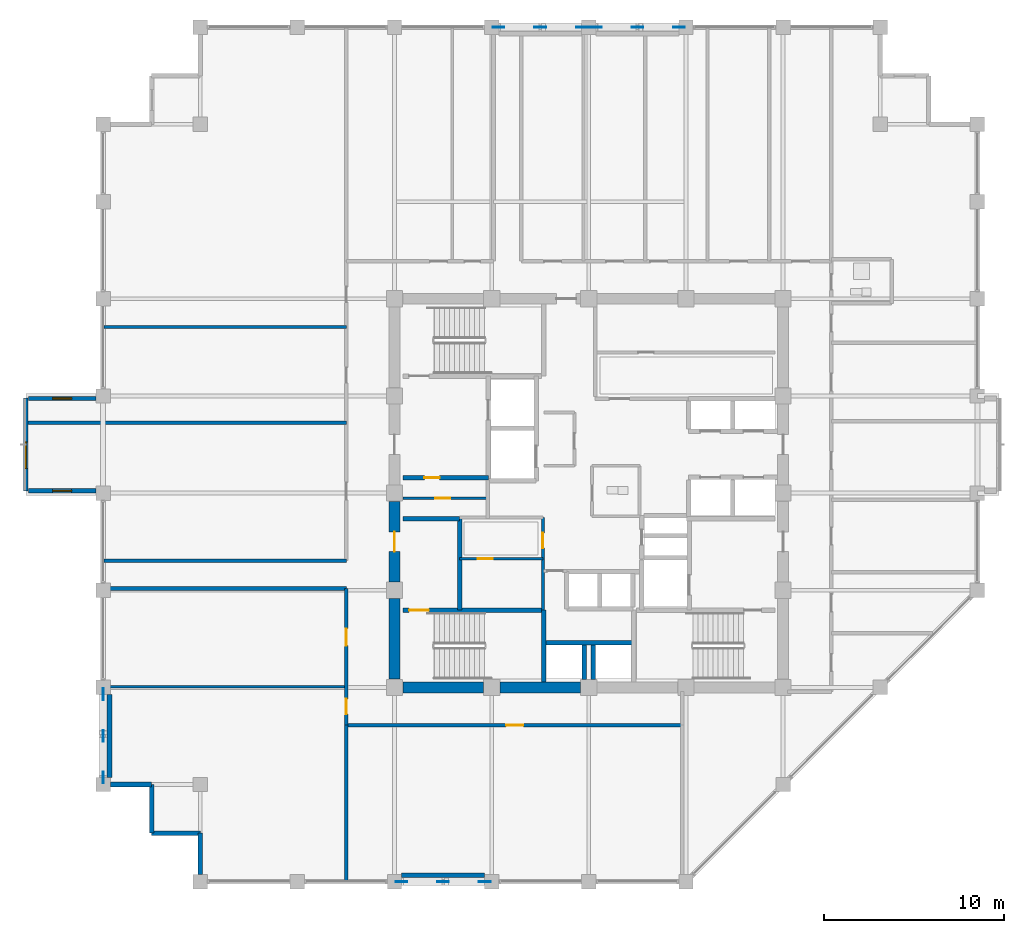
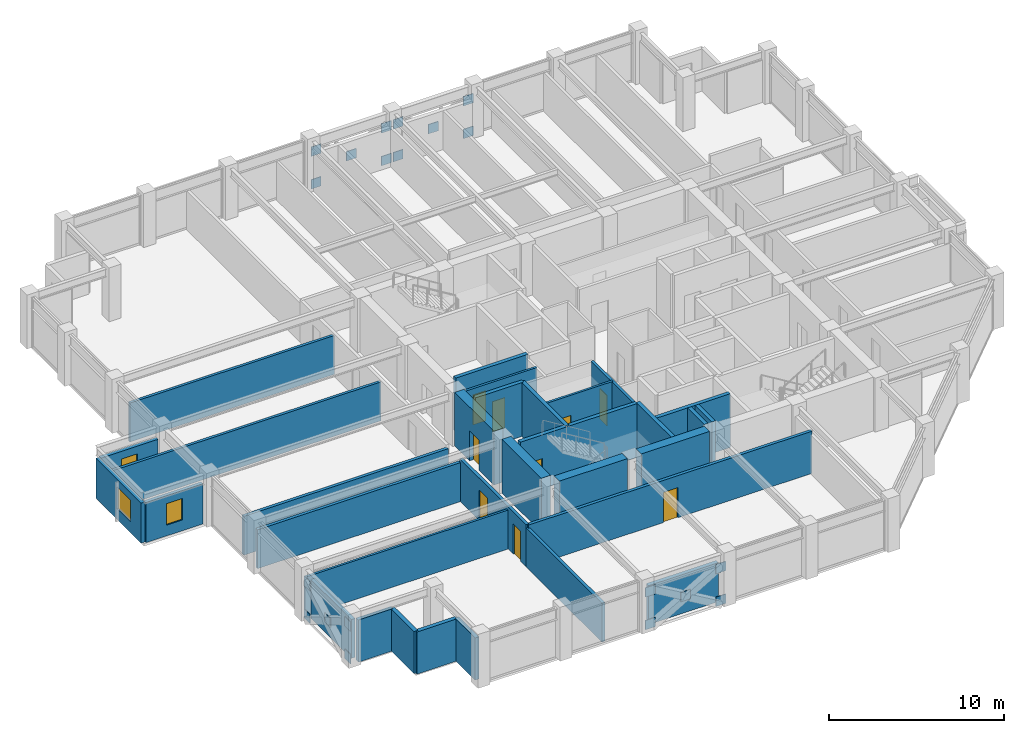
# One storey, part 22 of 28: 32 walls, 20 plates, 9 doors, 3 windows, 12 openings.
"""IFC4 building model written with IfcOpenShell, lengths in metres."""

from ifc_helpers import new_model, si_unit, direction, frame, frame_2d, origin, origin_2d, place, context, subcontext, project, spatial, rectangle, extrude, material, layer, layer_set, type_object, element, fill, save


model = new_model("IFC4")

# Units and contexts
model_context = context("Model", 3, precision=1e-05, world=origin(), true_north=direction((0.0, 1.0)))
body_context = subcontext(model_context, "Body", "Model", "MODEL_VIEW")
ifc_project = project(units=[si_unit("LENGTHUNIT", "METRE"), si_unit("AREAUNIT", "SQUARE_METRE"), si_unit("VOLUMEUNIT", "CUBIC_METRE"), si_unit("PLANEANGLEUNIT", "RADIAN"), si_unit("MASSUNIT", "GRAM", prefix="KILO")], contexts=[model_context])

# Site, building, storey
site_placement = place(None, origin())
site = spatial("IfcSite", under=ifc_project, at=site_placement, CompositionType="ELEMENT")
building_placement = place(site_placement, origin())
building = spatial("IfcBuilding", under=site, at=building_placement, Name="Surkhivell Harbour Commons", CompositionType="ELEMENT")
storey_placement = place(building_placement, frame((0.0, 0.0, 246.0)))
storey = spatial("IfcBuildingStorey", under=building, at=storey_placement, Name="L64", CompositionType="ELEMENT", Elevation=246.0)

# Plates
ifc_material_1 = material(Name="Steel S460", Category="steel")
ifc_layer_1 = layer(ifc_material_1, 0.044921875)
ifc_layer_set_1 = layer_set([ifc_layer_1], Name="Steel S460")
plate_type = type_object("IfcPlateType", Name="PLT-GUS-650", PredefinedType="USERDEFINED", material=ifc_layer_set_1)
for number, where, z_axis, x_axis, name in (
    (1, (-5.014892578125, 25.89990234375, -0.08935546875), (0.0, 0.0, 1.0), (1.0, 0.0, 0.0), "L64 Perimeter Mega-Brace MB- Corner Gusset N-1"),
    (2, (-0.385009765625, 25.89990234375, -0.08935546875), (0.0, 0.0, 1.0), (1.0, 0.0, 0.0), "L64 Perimeter Mega-Brace MB- Corner Gusset N-2"),
    (3, (-5.014892578125, 25.89990234375, 2.181640625), (0.0, 0.0, 1.0), (1.0, 0.0, 0.0), "L64 Perimeter Mega-Brace MB- Corner Gusset N-3"),
    (4, (-0.385009765625, 25.89990234375, 2.181640625), (0.0, 0.0, 1.0), (1.0, 0.0, 0.0), "L64 Perimeter Mega-Brace MB- Corner Gusset N-4"),
    (5, (-2.699951171875, 25.89990234375, 1.046142578125), (0.0, 0.0, 1.0), (1.0, 0.0, 0.0), "L64 Perimeter Mega-Brace MB- Central Crossing Gusset N"),
    (6, (0.385009765625, 25.89990234375, -0.08935546875), (0.0, 0.0, 1.0), (1.0, 0.0, 0.0), "L64 Perimeter Mega-Brace MB- Corner Gusset N2-1"),
    (7, (5.014892578125, 25.89990234375, -0.08935546875), (0.0, 0.0, 1.0), (1.0, 0.0, 0.0), "L64 Perimeter Mega-Brace MB- Corner Gusset N2-2"),
    (8, (0.385009765625, 25.89990234375, 2.181640625), (0.0, 0.0, 1.0), (1.0, 0.0, 0.0), "L64 Perimeter Mega-Brace MB- Corner Gusset N2-3"),
    (9, (5.014892578125, 25.89990234375, 2.181640625), (0.0, 0.0, 1.0), (1.0, 0.0, 0.0), "L64 Perimeter Mega-Brace MB- Corner Gusset N2-4"),
    (10, (2.699951171875, 25.89990234375, 1.046142578125), (0.0, 0.0, 1.0), (1.0, 0.0, 0.0), "L64 Perimeter Mega-Brace MB- Central Crossing Gusset N2"),
    (11, (-10.4150390625, -21.60009765625, -0.08935546875), (0.0, 0.0, 1.0), (1.0, 0.0, 0.0), "L64 Perimeter Mega-Brace MB- Corner Gusset S-1"),
    (12, (-5.784912109375, -21.60009765625, -0.08935546875), (0.0, 0.0, 1.0), (1.0, 0.0, 0.0), "L64 Perimeter Mega-Brace MB- Corner Gusset S-2"),
    (13, (-10.4150390625, -21.60009765625, 2.181640625), (0.0, 0.0, 1.0), (1.0, 0.0, 0.0), "L64 Perimeter Mega-Brace MB- Corner Gusset S-3"),
    (14, (-5.784912109375, -21.60009765625, 2.181640625), (0.0, 0.0, 1.0), (1.0, 0.0, 0.0), "L64 Perimeter Mega-Brace MB- Corner Gusset S-4"),
    (15, (-8.10009765625, -21.60009765625, 1.046142578125), (0.0, 0.0, 1.0), (1.0, 0.0, 0.0), "L64 Perimeter Mega-Brace MB- Central Crossing Gusset S"),
    (16, (-27.0, -15.81494140625, -0.08935546875), (0.0, 0.0, 1.0), (0.0, 1.0, 0.0), "L64 Perimeter Mega-Brace MB- Corner Gusset W-1"),
    (17, (-27.0, -11.18505859375, -0.08935546875), (0.0, 0.0, 1.0), (0.0, 1.0, 0.0), "L64 Perimeter Mega-Brace MB- Corner Gusset W-2"),
    (18, (-27.0, -15.81494140625, 2.181640625), (0.0, 0.0, 1.0), (0.0, 1.0, 0.0), "L64 Perimeter Mega-Brace MB- Corner Gusset W-3"),
    (19, (-27.0, -11.18505859375, 2.181640625), (0.0, 0.0, 1.0), (0.0, 1.0, 0.0), "L64 Perimeter Mega-Brace MB- Corner Gusset W-4"),
    (20, (-27.0, -13.5, 1.046142578125), (0.0, 0.0, 1.0), (0.0, 1.0, 0.0), "L64 Perimeter Mega-Brace MB- Central Crossing Gusset W"),
):
    element("IfcPlate", number, at=place(storey_placement, frame(where, z_axis=z_axis, x_axis=x_axis)), inside=storey, type_object=plate_type, Name=name, ObjectType="GUSSET_PLATE", PredefinedType="USERDEFINED", context=body_context, shape_type="SweptSolid", body=[
        extrude(rectangle(XDim=0.64990234375, YDim=0.044921875, at=origin_2d()), origin(), (0.0, 0.0, 1.0), 0.64990234375),
    ])

# Walls
ifc_material_2 = material(Name="Concrete C60/75", Category="concrete")
ifc_layer_2 = layer(ifc_material_2, 0.60009765625)
ifc_layer_set_2 = layer_set([ifc_layer_2], Name="Concrete C60/75")
wall_type_1 = type_object("IfcWallType", Name="WAL-CORE-600", PredefinedType="SHEAR", material=ifc_layer_set_2)
for number, where, z_axis, x_axis, name in (
    (21, (-10.340087890625, -10.800048828125, 0.0), (0.0, 0.0, 1.0), (1.0, 0.0, 0.0), "L64 Core Shear Wall South 1"),
    (22, (-10.800048828125, -10.340087890625, 0.0), (0.0, 0.0, 1.0), (0.0, 1.0, 0.0), "L64 Core Shear Wall West 1"),
    (23, (-4.93994140625, -10.800048828125, 0.0), (0.0, 0.0, 1.0), (1.0, 0.0, 0.0), "L64 Core Shear Wall South 2"),
):
    element("IfcWall", number, at=place(storey_placement, frame(where, z_axis=z_axis, x_axis=x_axis)), inside=storey, type_object=wall_type_1, Name=name, PredefinedType="SHEAR", context=body_context, shape_type="SweptSolid", body=[
        extrude(rectangle(XDim=4.47998046875, YDim=0.60009765625, at=frame_2d((2.239990234375, 0.0))), origin(), (0.0, 0.0, 1.0), 3.75),
    ])

# Wall, opening, door
wall_1_placement = place(storey_placement, frame((-10.800048828125, -4.93994140625, 0.0), z_axis=(0.0, 0.0, 1.0), x_axis=(0.0, 1.0, 0.0)))
wall_1 = element("IfcWall", 24, at=wall_1_placement, inside=storey, type_object=wall_type_1, Name="L64 Core Shear Wall West 2", PredefinedType="SHEAR", context=body_context, shape_type="SweptSolid", body=[
    extrude(rectangle(XDim=4.47998046875, YDim=0.60009765625, at=frame_2d((2.239990234375, 0.0))), origin(), (0.0, 0.0, 1.0), 3.75),
])
opening_1_placement = place(wall_1_placement, frame((1.68994140625, 0.0, 0.0)))
opening_1 = element("IfcOpeningElement", 25, at=opening_1_placement, cuts=wall_1, Name="Opening ID-2", PredefinedType="OPENING", context=body_context, shape_type="SweptSolid", body=[
    extrude(rectangle(XDim=1.10009765625, YDim=2.10009765625, at=frame_2d((0.550048828125, 1.050048828125))), frame((0.0, 0.31005859375, 0.0), z_axis=(0.0, -1.0, 0.0), x_axis=(1.0, 0.0, 0.0)), (0.0, 0.0, 1.0), 0.6201171875),
])
ifc_material_3 = material(Name="Hardwood-veneered fire-rated door leaf", Category="wood")
door_type_1 = type_object("IfcDoorType", Name="DOR-FD60-1100", OperationType="NOTDEFINED", PredefinedType="DOOR", material=ifc_material_3)
door_1_placement = place(opening_1_placement, origin())
door_1 = element("IfcDoor", 26, at=door_1_placement, inside=storey, type_object=door_type_1, Name="L64 Stair 3 Lobby Corridor Door", OperationType="SINGLE_SWING_LEFT", OverallHeight=2.10009765625, OverallWidth=1.10009765625, PredefinedType="DOOR", context=body_context, shape_type="SweptSolid", body=[
    extrude(rectangle(XDim=1.10009765625, YDim=2.10009765625, at=frame_2d((0.550048828125, 1.050048828125))), frame((0.0, 0.02490234375, 0.0), z_axis=(0.0, -1.0, 0.0), x_axis=(1.0, 0.0, 0.0)), (0.0, 0.0, 1.0), 0.050048828125),
])
fill(opening_1, door_1)

# Walls
ifc_material_4 = material(Name="Pale-metal insulated precast concrete C45/55", Category="concrete")
ifc_layer_3 = layer(ifc_material_4, 0.260009765625)
ifc_layer_set_3 = layer_set([ifc_layer_3], Name="Pale-metal insulated precast concrete C45/55")
wall_type_2 = type_object("IfcWallType", Name="WAL-EXT-MTL260", PredefinedType="STANDARD", material=ifc_layer_set_3)
for number, where, z_axis, x_axis, name in (
    (27, (-10.402099609375, -21.239990234375, 0.0), (0.0, 0.0, 1.0), (1.0, 0.0, 0.0), "L64 Braced-Bay Insulated Spandrel Backing S"),
    (28, (-26.639892578125, -15.802001953125, 0.0), (0.0, 0.0, 1.0), (0.0, 1.0, 0.0), "L64 Braced-Bay Insulated Spandrel Backing W"),
):
    element("IfcWall", number, at=place(storey_placement, frame(where, z_axis=z_axis, x_axis=x_axis)), inside=storey, type_object=wall_type_2, Name=name, PredefinedType="STANDARD", context=body_context, shape_type="SweptSolid", body=[
        extrude(rectangle(XDim=4.60400390625, YDim=0.260009765625, at=frame_2d((2.302001953125, 0.0))), origin(), (0.0, 0.0, 1.0), 2.7099609375),
    ])
wall_2_placement = place(storey_placement, frame((-26.60205078125, -16.199951171875, 0.0), z_axis=(0.0, 0.0, 1.0), x_axis=(1.0, 0.0, 0.0)))
element("IfcWall", 29, at=wall_2_placement, inside=storey, type_object=wall_type_2, Name="L64 Serrated Corner Facade Wall 13", PredefinedType="STANDARD", context=body_context, shape_type="SweptSolid", body=[
    extrude(rectangle(XDim=2.302001953125, YDim=0.260009765625, at=frame_2d((1.15087890625, 0.0))), origin(), (0.0, 0.0, 1.0), 2.93603515625),
])
for number, where, z_axis, x_axis, name in (
    (30, (-24.300048828125, -16.199951171875, 0.0), (0.0, 0.0, 1.0), (0.0, -1.0, 0.0), "L64 Serrated Corner Facade Wall 14"),
    (31, (-24.300048828125, -18.89990234375, 0.0), (0.0, 0.0, 1.0), (1.0, 0.0, 0.0), "L64 Serrated Corner Facade Wall 15"),
):
    element("IfcWall", number, at=place(storey_placement, frame(where, z_axis=z_axis, x_axis=x_axis)), inside=storey, type_object=wall_type_2, Name=name, PredefinedType="STANDARD", context=body_context, shape_type="SweptSolid", body=[
        extrude(rectangle(XDim=2.699951171875, YDim=0.260009765625, at=frame_2d((1.35009765625, 0.0))), origin(), (0.0, 0.0, 1.0), 2.93603515625),
    ])
wall_3_placement = place(storey_placement, frame((-21.60009765625, -18.89990234375, 0.0), z_axis=(0.0, 0.0, 1.0), x_axis=(0.0, -1.0, 0.0)))
element("IfcWall", 32, at=wall_3_placement, inside=storey, type_object=wall_type_2, Name="L64 Serrated Corner Facade Wall 16", PredefinedType="STANDARD", context=body_context, shape_type="SweptSolid", body=[
    extrude(rectangle(XDim=2.302001953125, YDim=0.260009765625, at=frame_2d((1.15087890625, 0.0))), origin(), (0.0, 0.0, 1.0), 2.93603515625),
])

# Wall, opening, window
ifc_material_5 = material(Name="Bronze-ochre cassette precast concrete C45/55", Category="concrete")
ifc_layer_4 = layer(ifc_material_5, 0.239990234375)
ifc_layer_set_4 = layer_set([ifc_layer_4], Name="Bronze-ochre cassette precast concrete C45/55")
wall_type_3 = type_object("IfcWallType", Name="WAL-EXT-OCH240", PredefinedType="STANDARD", material=ifc_layer_set_4)
wall_4_placement = place(storey_placement, frame((-31.300048828125, 5.280029296875, 0.0), z_axis=(0.0, 0.0, 1.0), x_axis=(0.0, -1.0, 0.0)))
wall_4 = element("IfcWall", 33, at=wall_4_placement, inside=storey, type_object=wall_type_3, Name="L64 Coloured Box Front Wall 02", PredefinedType="STANDARD", context=body_context, shape_type="SweptSolid", body=[
    extrude(rectangle(XDim=5.159912109375, YDim=0.239990234375, at=frame_2d((2.580078125, 0.0))), origin(), (0.0, 0.0, 1.0), 2.787109375),
])
opening_2_placement = place(wall_4_placement, frame((2.425048828125, 0.0, 0.75)))
opening_2 = element("IfcOpeningElement", 34, at=opening_2_placement, cuts=wall_4, Name="Opening WN-13", PredefinedType="OPENING", context=body_context, shape_type="SweptSolid", body=[
    extrude(rectangle(XDim=1.5, YDim=1.5, at=frame_2d((0.75, 0.75))), frame((0.0, 0.1298828125, 0.0), z_axis=(0.0, -1.0, 0.0), x_axis=(1.0, 0.0, 0.0)), (0.0, 0.0, 1.0), 0.260009765625),
])
ifc_material_6 = material(Name="Thermal-break aluminium frame and double low-E glazing", Category="aluminium")
window_type_1 = type_object("IfcWindowType", Name="WIN-BOX-1500x1500", PartitioningType="SINGLE_PANEL", PredefinedType="WINDOW", material=ifc_material_6)
window_1_placement = place(opening_2_placement, origin())
window_1 = element("IfcWindow", 35, at=window_1_placement, inside=storey, type_object=window_type_1, Name="L64 Coloured Box Square Window 02-1", OverallHeight=1.5, OverallWidth=1.5, PartitioningType="SINGLE_PANEL", PredefinedType="WINDOW", context=body_context, shape_type="SweptSolid", body=[
    extrude(rectangle(XDim=1.5, YDim=1.5, at=frame_2d((0.75, 0.75))), frame((0.0, 0.030029296875, 0.0), z_axis=(0.0, -1.0, 0.0), x_axis=(1.0, 0.0, 0.0)), (0.0, 0.0, 1.0), 0.06005859375),
])
fill(opening_2, window_1)

wall_5_placement = place(storey_placement, frame((-31.159912109375, 0.139892578125, 0.0), z_axis=(0.0, 0.0, 1.0), x_axis=(1.0, 0.0, 0.0)))
wall_5 = element("IfcWall", 36, at=wall_5_placement, inside=storey, type_object=wall_type_3, Name="L64 Coloured Box Return Wall 02S", PredefinedType="STANDARD", context=body_context, shape_type="SweptSolid", body=[
    extrude(rectangle(XDim=3.755859375, YDim=0.239990234375, at=frame_2d((1.8779296875, 0.0))), origin(), (0.0, 0.0, 1.0), 2.787109375),
])
opening_3_placement = place(wall_5_placement, frame((1.35302734375, 0.0, 0.75)))
opening_3 = element("IfcOpeningElement", 37, at=opening_3_placement, cuts=wall_5, Name="Opening WN-11", PredefinedType="OPENING", context=body_context, shape_type="SweptSolid", body=[
    extrude(rectangle(XDim=1.050048828125, YDim=1.5, at=frame_2d((0.52490234375, 0.75))), frame((0.0, 0.1298828125, 0.0), z_axis=(0.0, -1.0, 0.0), x_axis=(1.0, 0.0, 0.0)), (0.0, 0.0, 1.0), 0.260009765625),
])
window_type_2 = type_object("IfcWindowType", Name="WIN-SER-1050x1500", PartitioningType="SINGLE_PANEL", PredefinedType="WINDOW", material=ifc_material_6)
window_2_placement = place(opening_3_placement, origin())
window_2 = element("IfcWindow", 38, at=window_2_placement, inside=storey, type_object=window_type_2, Name="L64 Coloured Box Return Window 02S", OverallHeight=1.5, OverallWidth=1.050048828125, PartitioningType="SINGLE_PANEL", PredefinedType="WINDOW", context=body_context, shape_type="SweptSolid", body=[
    extrude(rectangle(XDim=1.050048828125, YDim=1.5, at=frame_2d((0.52490234375, 0.75))), frame((0.0, 0.030029296875, 0.0), z_axis=(0.0, -1.0, 0.0), x_axis=(1.0, 0.0, 0.0)), (0.0, 0.0, 1.0), 0.06005859375),
])
fill(opening_3, window_2)

wall_6_placement = place(storey_placement, frame((-31.159912109375, 5.260009765625, 0.0), z_axis=(0.0, 0.0, 1.0), x_axis=(1.0, 0.0, 0.0)))
wall_6 = element("IfcWall", 39, at=wall_6_placement, inside=storey, type_object=wall_type_3, Name="L64 Coloured Box Return Wall 02N", PredefinedType="STANDARD", context=body_context, shape_type="SweptSolid", body=[
    extrude(rectangle(XDim=3.755859375, YDim=0.239990234375, at=frame_2d((1.8779296875, 0.0))), origin(), (0.0, 0.0, 1.0), 2.787109375),
])
opening_4_placement = place(wall_6_placement, frame((1.35302734375, 0.0, 0.75)))
opening_4 = element("IfcOpeningElement", 40, at=opening_4_placement, cuts=wall_6, Name="Opening WN-11", PredefinedType="OPENING", context=body_context, shape_type="SweptSolid", body=[
    extrude(rectangle(XDim=1.050048828125, YDim=1.5, at=frame_2d((0.52490234375, 0.75))), frame((0.0, 0.1298828125, 0.0), z_axis=(0.0, -1.0, 0.0), x_axis=(1.0, 0.0, 0.0)), (0.0, 0.0, 1.0), 0.260009765625),
])
window_3_placement = place(opening_4_placement, origin())
window_3 = element("IfcWindow", 41, at=window_3_placement, inside=storey, type_object=window_type_2, Name="L64 Coloured Box Return Window 02N", OverallHeight=1.5, OverallWidth=1.050048828125, PartitioningType="SINGLE_PANEL", PredefinedType="WINDOW", context=body_context, shape_type="SweptSolid", body=[
    extrude(rectangle(XDim=1.050048828125, YDim=1.5, at=frame_2d((0.52490234375, 0.75))), frame((0.0, 0.030029296875, 0.0), z_axis=(0.0, -1.0, 0.0), x_axis=(1.0, 0.0, 0.0)), (0.0, 0.0, 1.0), 0.06005859375),
])
fill(opening_4, window_3)

# Wall, opening, door
ifc_material_7 = material(Name="Twin-stud acoustic fireboard partition", Category="other")
ifc_layer_5 = layer(ifc_material_7, 0.14990234375)
ifc_layer_set_5 = layer_set([ifc_layer_5], Name="Twin-stud acoustic fireboard partition")
wall_type_4 = type_object("IfcWallType", Name="WAL-INT-150", PredefinedType="PARTITIONING", material=ifc_layer_set_5)
wall_7_placement = place(storey_placement, frame((-7.179931640625, -3.64990234375, 0.0), z_axis=(0.0, 0.0, 1.0), x_axis=(1.0, 0.0, 0.0)))
wall_7 = element("IfcWall", 42, at=wall_7_placement, inside=storey, type_object=wall_type_4, Name="L64 Core Cut C1 Partition", PredefinedType="PARTITIONING", context=body_context, shape_type="SweptSolid", body=[
    extrude(rectangle(XDim=4.6298828125, YDim=0.14990234375, at=frame_2d((2.31494140625, 0.0))), origin(), (0.0, 0.0, 1.0), 3.5),
])
opening_5_placement = place(wall_7_placement, frame((1.0, 0.0, 0.0)))
opening_5 = element("IfcOpeningElement", 43, at=opening_5_placement, cuts=wall_7, Name="Opening ID-6", PredefinedType="OPENING", context=body_context, shape_type="SweptSolid", body=[
    extrude(rectangle(XDim=0.85009765625, YDim=2.10009765625, at=frame_2d((0.425048828125, 1.050048828125))), frame((0.0, 0.0849609375, 0.0), z_axis=(0.0, -1.0, 0.0), x_axis=(1.0, 0.0, 0.0)), (0.0, 0.0, 1.0), 0.169921875),
])
door_type_2 = type_object("IfcDoorType", Name="DOR-FD30-850", OperationType="NOTDEFINED", PredefinedType="DOOR", material=ifc_material_3)
door_2_placement = place(opening_5_placement, origin())
door_2 = element("IfcDoor", 44, at=door_2_placement, inside=storey, type_object=door_type_2, Name="L64 Cleaner Room Door", OperationType="SINGLE_SWING_LEFT", OverallHeight=2.10009765625, OverallWidth=0.85009765625, PredefinedType="DOOR", context=body_context, shape_type="SweptSolid", body=[
    extrude(rectangle(XDim=0.85009765625, YDim=2.10009765625, at=frame_2d((0.425048828125, 1.050048828125))), frame((0.0, 0.02490234375, 0.0), z_axis=(0.0, -1.0, 0.0), x_axis=(1.0, 0.0, 0.0)), (0.0, 0.0, 1.0), 0.050048828125),
])
fill(opening_5, door_2)

wall_8_placement = place(storey_placement, frame((-10.340087890625, -0.2900390625, 0.0), z_axis=(0.0, 0.0, 1.0), x_axis=(1.0, 0.0, 0.0)))
wall_8 = element("IfcWall", 45, at=wall_8_placement, inside=storey, type_object=wall_type_4, Name="L64 West Core Horizontal Cut", PredefinedType="PARTITIONING", context=body_context, shape_type="SweptSolid", body=[
    extrude(rectangle(XDim=4.719970703125, YDim=0.14990234375, at=frame_2d((2.35986328125, 0.0))), origin(), (0.0, 0.0, 1.0), 3.5),
])
opening_6_placement = place(wall_8_placement, frame((1.800048828125, 0.0, 0.0)))
opening_6 = element("IfcOpeningElement", 46, at=opening_6_placement, cuts=wall_8, Name="Opening ID-6", PredefinedType="OPENING", context=body_context, shape_type="SweptSolid", body=[
    extrude(rectangle(XDim=0.85009765625, YDim=2.10009765625, at=frame_2d((0.425048828125, 1.050048828125))), frame((0.0, 0.0849609375, 0.0), z_axis=(0.0, -1.0, 0.0), x_axis=(1.0, 0.0, 0.0)), (0.0, 0.0, 1.0), 0.169921875),
])
door_3_placement = place(opening_6_placement, origin())
door_3 = element("IfcDoor", 47, at=door_3_placement, inside=storey, type_object=door_type_2, Name="L64 West Music Pod Door", OperationType="SINGLE_SWING_RIGHT", OverallHeight=2.10009765625, OverallWidth=0.85009765625, PredefinedType="DOOR", context=body_context, shape_type="SweptSolid", body=[
    extrude(rectangle(XDim=0.85009765625, YDim=2.10009765625, at=frame_2d((0.425048828125, 1.050048828125))), frame((0.0, 0.02490234375, 0.0), z_axis=(0.0, -1.0, 0.0), x_axis=(1.0, 0.0, 0.0)), (0.0, 0.0, 1.0), 0.050048828125),
])
fill(opening_6, door_3)

# Wall
wall_9_placement = place(storey_placement, frame((-26.93994140625, -10.77001953125, 0.0), z_axis=(0.0, 0.0, 1.0), x_axis=(1.0, 0.0, 0.0)))
element("IfcWall", 48, at=wall_9_placement, inside=storey, type_object=wall_type_4, Name="L64 South-West Partition P1", PredefinedType="PARTITIONING", context=body_context, shape_type="SweptSolid", body=[
    extrude(rectangle(XDim=13.4599609375, YDim=0.14990234375, at=frame_2d((6.72998046875, 0.0))), origin(), (0.0, 0.0, 1.0), 2.7099609375),
])

# Wall, opening, door
ifc_material_8 = material(Name="High-density acoustic blockwork fire partition", Category="masonry")
ifc_layer_6 = layer(ifc_material_8, 0.175048828125)
ifc_layer_set_6 = layer_set([ifc_layer_6], Name="High-density acoustic blockwork fire partition")
wall_type_5 = type_object("IfcWallType", Name="WAL-INT-175", PredefinedType="PARTITIONING", material=ifc_layer_set_6)
wall_10_placement = place(storey_placement, frame((-2.550048828125, -6.510009765625, 0.0), z_axis=(0.0, 0.0, 1.0), x_axis=(0.0, 1.0, 0.0)))
wall_10 = element("IfcWall", 49, at=wall_10_placement, inside=storey, type_object=wall_type_5, Name="L64 Core Service Bay East Wall", PredefinedType="PARTITIONING", context=body_context, shape_type="SweptSolid", body=[
    extrude(rectangle(XDim=5.159912109375, YDim=0.175048828125, at=frame_2d((2.580078125, 0.0))), origin(), (0.0, 0.0, 1.0), 3.5),
])
opening_7_placement = place(wall_10_placement, frame((3.449951171875, 0.0, 0.0)))
opening_7 = element("IfcOpeningElement", 50, at=opening_7_placement, cuts=wall_10, Name="Opening ID-6", PredefinedType="OPENING", context=body_context, shape_type="SweptSolid", body=[
    extrude(rectangle(XDim=0.85009765625, YDim=2.10009765625, at=frame_2d((0.425048828125, 1.050048828125))), frame((0.0, 0.097412109375, 0.0), z_axis=(0.0, -1.0, 0.0), x_axis=(1.0, 0.0, 0.0)), (0.0, 0.0, 1.0), 0.195068359375),
])
door_4_placement = place(opening_7_placement, origin())
door_4 = element("IfcDoor", 51, at=door_4_placement, inside=storey, type_object=door_type_2, Name="L64 Core Seminar Door", OperationType="SINGLE_SWING_LEFT", OverallHeight=2.10009765625, OverallWidth=0.85009765625, PredefinedType="DOOR", context=body_context, shape_type="SweptSolid", body=[
    extrude(rectangle(XDim=0.85009765625, YDim=2.10009765625, at=frame_2d((0.425048828125, 1.050048828125))), frame((0.0, 0.02490234375, 0.0), z_axis=(0.0, -1.0, 0.0), x_axis=(1.0, 0.0, 0.0)), (0.0, 0.0, 1.0), 0.050048828125),
])
fill(opening_7, door_4)

# Walls
wall_11_placement = place(storey_placement, frame((-31.239990234375, 3.909912109375, 0.0), z_axis=(0.0, 0.0, 1.0), x_axis=(1.0, 0.0, 0.0)))
element("IfcWall", 52, at=wall_11_placement, inside=storey, type_object=wall_type_5, Name="L64 North-West Partition P1", PredefinedType="PARTITIONING", context=body_context, shape_type="SweptSolid", body=[
    extrude(rectangle(XDim=17.760009765625, YDim=0.175048828125, at=frame_2d((8.8798828125, 0.0))), origin(), (0.0, 0.0, 1.0), 2.7099609375),
])
wall_12_placement = place(storey_placement, frame((-26.93994140625, 9.239990234375, 0.0), z_axis=(0.0, 0.0, 1.0), x_axis=(1.0, 0.0, 0.0)))
element("IfcWall", 53, at=wall_12_placement, inside=storey, type_object=wall_type_5, Name="L64 North-West Partition P2", PredefinedType="PARTITIONING", context=body_context, shape_type="SweptSolid", body=[
    extrude(rectangle(XDim=13.4599609375, YDim=0.175048828125, at=frame_2d((6.72998046875, 0.0))), origin(), (0.0, 0.0, 1.0), 2.7099609375),
])
ifc_material_9 = material(Name="Autoclaved aerated concrete blockwork and fire plaster", Category="masonry")
ifc_layer_7 = layer(ifc_material_9, 0.199951171875)
ifc_layer_set_7 = layer_set([ifc_layer_7], Name="Autoclaved aerated concrete blockwork and fire plaster")
wall_type_6 = type_object("IfcWallType", Name="WAL-INT-200", PredefinedType="PARTITIONING", material=ifc_layer_set_7)
wall_13_placement = place(storey_placement, frame((-13.47998046875, -21.5400390625, 0.0), z_axis=(0.0, 0.0, 1.0), x_axis=(0.0, 1.0, 0.0)))
element("IfcWall", 54, at=wall_13_placement, inside=storey, type_object=wall_type_6, Name="L64 South-West Corner Wall", PredefinedType="PARTITIONING", context=body_context, shape_type="SweptSolid", body=[
    extrude(rectangle(XDim=8.64013671875, YDim=0.199951171875, at=frame_2d((4.320068359375, 0.0))), origin(), (0.0, 0.0, 1.0), 2.7099609375),
])

# Wall, opening, door
wall_14_placement = place(storey_placement, frame((-13.47998046875, -12.89990234375, 0.0), z_axis=(0.0, 0.0, 1.0), x_axis=(1.0, 0.0, 0.0)))
wall_14 = element("IfcWall", 55, at=wall_14_placement, inside=storey, type_object=wall_type_6, Name="L64 Corridor South Wall", PredefinedType="PARTITIONING", context=body_context, shape_type="SweptSolid", body=[
    extrude(rectangle(XDim=18.679931640625, YDim=0.199951171875, at=frame_2d((9.33984375, 0.0))), origin(), (0.0, 0.0, 1.0), 2.93603515625),
])
opening_8_placement = place(wall_14_placement, frame((8.889892578125, 0.0, 0.0)))
opening_8 = element("IfcOpeningElement", 56, at=opening_8_placement, cuts=wall_14, Name="Opening ID-4", PredefinedType="OPENING", context=body_context, shape_type="SweptSolid", body=[
    extrude(rectangle(XDim=0.949951171875, YDim=2.10009765625, at=frame_2d((0.47509765625, 1.050048828125))), frame((0.0, 0.10986328125, 0.0), z_axis=(0.0, -1.0, 0.0), x_axis=(1.0, 0.0, 0.0)), (0.0, 0.0, 1.0), 0.219970703125),
])
door_type_3 = type_object("IfcDoorType", Name="DOR-FD60-950", OperationType="NOTDEFINED", PredefinedType="DOOR", material=ifc_material_3)
door_5_placement = place(opening_8_placement, origin())
door_5 = element("IfcDoor", 57, at=door_5_placement, inside=storey, type_object=door_type_3, Name="L64 Open Academic Study Commons Reading Library South Door", OperationType="SINGLE_SWING_LEFT", OverallHeight=2.10009765625, OverallWidth=0.949951171875, PredefinedType="DOOR", context=body_context, shape_type="SweptSolid", body=[
    extrude(rectangle(XDim=0.949951171875, YDim=2.10009765625, at=frame_2d((0.47509765625, 1.050048828125))), frame((0.0, 0.02490234375, 0.0), z_axis=(0.0, -1.0, 0.0), x_axis=(1.0, 0.0, 0.0)), (0.0, 0.0, 1.0), 0.050048828125),
])
fill(opening_8, door_5)

# Walls
for number, where, z_axis, x_axis, name in (
    (58, (-26.93994140625, -3.75, 0.0), (0.0, 0.0, 1.0), (1.0, 0.0, 0.0), "L64 West Spur North Wall"),
    (59, (-26.93994140625, -5.300048828125, 0.0), (0.0, 0.0, 1.0), (1.0, 0.0, 0.0), "L64 West Spur South Wall"),
):
    element("IfcWall", number, at=place(storey_placement, frame(where, z_axis=z_axis, x_axis=x_axis)), inside=storey, type_object=wall_type_6, Name=name, PredefinedType="PARTITIONING", context=body_context, shape_type="SweptSolid", body=[
        extrude(rectangle(XDim=13.4599609375, YDim=0.199951171875, at=frame_2d((6.72998046875, 0.0))), origin(), (0.0, 0.0, 1.0), 2.7099609375),
    ])

# Wall, openings, doors
wall_15_placement = place(storey_placement, frame((-13.47998046875, -12.89990234375, 0.0), z_axis=(0.0, 0.0, 1.0), x_axis=(0.0, 1.0, 0.0)))
wall_15 = element("IfcWall", 60, at=wall_15_placement, inside=storey, type_object=wall_type_6, Name="L64 Corridor West-Lower Wall", PredefinedType="PARTITIONING", context=body_context, shape_type="SweptSolid", body=[
    extrude(rectangle(XDim=7.599853515625, YDim=0.199951171875, at=frame_2d((3.7998046875, 0.0))), origin(), (0.0, 0.0, 1.0), 2.93603515625),
])
opening_9_placement = place(wall_15_placement, frame((0.614990234375, 0.0, 0.0)))
opening_9 = element("IfcOpeningElement", 61, at=opening_9_placement, cuts=wall_15, Name="Opening ID-6", PredefinedType="OPENING", context=body_context, shape_type="SweptSolid", body=[
    extrude(rectangle(XDim=0.85009765625, YDim=2.10009765625, at=frame_2d((0.425048828125, 1.050048828125))), frame((0.0, 0.10986328125, 0.0), z_axis=(0.0, -1.0, 0.0), x_axis=(1.0, 0.0, 0.0)), (0.0, 0.0, 1.0), 0.219970703125),
])
opening_10_placement = place(wall_15_placement, frame((4.4150390625, 0.0, 0.0)))
opening_10 = element("IfcOpeningElement", 62, at=opening_10_placement, cuts=wall_15, Name="Opening ID-4", PredefinedType="OPENING", context=body_context, shape_type="SweptSolid", body=[
    extrude(rectangle(XDim=0.949951171875, YDim=2.10009765625, at=frame_2d((0.47509765625, 1.050048828125))), frame((0.0, 0.10986328125, 0.0), z_axis=(0.0, -1.0, 0.0), x_axis=(1.0, 0.0, 0.0)), (0.0, 0.0, 1.0), 0.219970703125),
])
door_6_placement = place(opening_9_placement, origin())
door_6 = element("IfcDoor", 63, at=door_6_placement, inside=storey, type_object=door_type_2, Name="L64 Shared Communal Kitchen A South-West Door", OperationType="SINGLE_SWING_LEFT", OverallHeight=2.10009765625, OverallWidth=0.85009765625, PredefinedType="DOOR", context=body_context, shape_type="SweptSolid", body=[
    extrude(rectangle(XDim=0.85009765625, YDim=2.10009765625, at=frame_2d((0.425048828125, 1.050048828125))), frame((0.0, 0.02490234375, 0.0), z_axis=(0.0, -1.0, 0.0), x_axis=(1.0, 0.0, 0.0)), (0.0, 0.0, 1.0), 0.050048828125),
])
fill(opening_9, door_6)
door_7_placement = place(opening_10_placement, origin())
door_7 = element("IfcDoor", 64, at=door_7_placement, inside=storey, type_object=door_type_3, Name="L64 Shared Communal Kitchen B South-West Door", OperationType="SINGLE_SWING_RIGHT", OverallHeight=2.10009765625, OverallWidth=0.949951171875, PredefinedType="DOOR", context=body_context, shape_type="SweptSolid", body=[
    extrude(rectangle(XDim=0.949951171875, YDim=2.10009765625, at=frame_2d((0.47509765625, 1.050048828125))), frame((0.0, 0.02490234375, 0.0), z_axis=(0.0, -1.0, 0.0), x_axis=(1.0, 0.0, 0.0)), (0.0, 0.0, 1.0), 0.050048828125),
])
fill(opening_10, door_7)

# Wall, opening, door
ifc_material_10 = material(Name="Concrete C50/60", Category="concrete")
ifc_layer_8 = layer(ifc_material_10, 0.25)
ifc_layer_set_8 = layer_set([ifc_layer_8], Name="Concrete C50/60")
wall_type_7 = type_object("IfcWallType", Name="WAL-SHAFT-250", PredefinedType="SHEAR", material=ifc_layer_set_8)
wall_16_placement = place(storey_placement, frame((-10.340087890625, 0.85009765625, 0.0), z_axis=(0.0, 0.0, 1.0), x_axis=(1.0, 0.0, 0.0)))
wall_16 = element("IfcWall", 65, at=wall_16_placement, inside=storey, type_object=wall_type_7, Name="L64 Firefighting Lobby 1 South Wall", PredefinedType="SHEAR", context=body_context, shape_type="SweptSolid", body=[
    extrude(rectangle(XDim=4.760009765625, YDim=0.25, at=frame_2d((2.3798828125, 0.0))), origin(), (0.0, 0.0, 1.0), 3.75),
])
opening_11_placement = place(wall_16_placement, frame((1.199951171875, 0.0, 0.0)))
opening_11 = element("IfcOpeningElement", 66, at=opening_11_placement, cuts=wall_16, Name="Opening ID-6", PredefinedType="OPENING", context=body_context, shape_type="SweptSolid", body=[
    extrude(rectangle(XDim=0.85009765625, YDim=2.10009765625, at=frame_2d((0.425048828125, 1.050048828125))), frame((0.0, 0.135009765625, 0.0), z_axis=(0.0, -1.0, 0.0), x_axis=(1.0, 0.0, 0.0)), (0.0, 0.0, 1.0), 0.27001953125),
])
door_8_placement = place(opening_11_placement, origin())
door_8 = element("IfcDoor", 67, at=door_8_placement, inside=storey, type_object=door_type_2, Name="L64 West Reading Alcove Door", OperationType="SINGLE_SWING_LEFT", OverallHeight=2.10009765625, OverallWidth=0.85009765625, PredefinedType="DOOR", context=body_context, shape_type="SweptSolid", body=[
    extrude(rectangle(XDim=0.85009765625, YDim=2.10009765625, at=frame_2d((0.425048828125, 1.050048828125))), frame((0.0, 0.02490234375, 0.0), z_axis=(0.0, -1.0, 0.0), x_axis=(1.0, 0.0, 0.0)), (0.0, 0.0, 1.0), 0.050048828125),
])
fill(opening_11, door_8)

# Walls
for number, where, z_axis, x_axis, name in (
    (68, (-0.25, -10.35009765625, 0.0), (0.0, 0.0, 1.0), (0.0, 1.0, 0.0), "L64 High-Rise Side Wall S"),
    (69, (0.25, -10.35009765625, 0.0), (0.0, 0.0, 1.0), (0.0, 1.0, 0.0), "L64 High-Rise Side Wall S"),
):
    element("IfcWall", number, at=place(storey_placement, frame(where, z_axis=z_axis, x_axis=x_axis)), inside=storey, type_object=wall_type_7, Name=name, PredefinedType="SHEAR", context=body_context, shape_type="SweptSolid", body=[
        extrude(rectangle(XDim=1.91015625, YDim=0.25, at=frame_2d((0.955078125, 0.0))), origin(), (0.0, 0.0, 1.0), 3.75),
    ])
wall_17_placement = place(storey_placement, frame((-2.47998046875, -8.320068359375, 0.0), z_axis=(0.0, 0.0, 1.0), x_axis=(1.0, 0.0, 0.0)))
element("IfcWall", 70, at=wall_17_placement, inside=storey, type_object=wall_type_7, Name="L64 High-Rise South Front Shaft Wall", PredefinedType="SHEAR", context=body_context, shape_type="SweptSolid", body=[
    extrude(rectangle(XDim=4.929931640625, YDim=0.25, at=frame_2d((2.46484375, 0.0))), origin(), (0.0, 0.0, 1.0), 3.75),
])
wall_18_placement = place(storey_placement, frame((-2.510009765625, -10.5, 0.0), z_axis=(0.0, 0.0, 1.0), x_axis=(0.0, 1.0, 0.0)))
element("IfcWall", 71, at=wall_18_placement, inside=storey, type_object=wall_type_7, Name="L64 Stair ST3 East Shear Wall", PredefinedType="SHEAR", context=body_context, shape_type="SweptSolid", body=[
    extrude(rectangle(XDim=3.989990234375, YDim=0.25, at=frame_2d((1.9951171875, 0.0))), origin(), (0.0, 0.0, 1.0), 3.75),
])
wall_19_placement = place(storey_placement, frame((-7.179931640625, -6.510009765625, 0.0), z_axis=(0.0, 0.0, 1.0), x_axis=(0.0, 1.0, 0.0)))
element("IfcWall", 72, at=wall_19_placement, inside=storey, type_object=wall_type_7, Name="L64 Stair 3 Lobby East Wall", PredefinedType="SHEAR", context=body_context, shape_type="SweptSolid", body=[
    extrude(rectangle(XDim=5.090087890625, YDim=0.25, at=frame_2d((2.544921875, 0.0))), origin(), (0.0, 0.0, 1.0), 3.75),
])
wall_20_placement = place(storey_placement, frame((-10.340087890625, -1.419921875, 0.0), z_axis=(0.0, 0.0, 1.0), x_axis=(1.0, 0.0, 0.0)))
element("IfcWall", 73, at=wall_20_placement, inside=storey, type_object=wall_type_7, Name="L64 Stair 3 Lobby North Wall", PredefinedType="SHEAR", context=body_context, shape_type="SweptSolid", body=[
    extrude(rectangle(XDim=3.16015625, YDim=0.25, at=frame_2d((1.580078125, 0.0))), origin(), (0.0, 0.0, 1.0), 3.75),
])

# Wall, opening, door
wall_21_placement = place(storey_placement, frame((-10.340087890625, -6.510009765625, 0.0), z_axis=(0.0, 0.0, 1.0), x_axis=(1.0, 0.0, 0.0)))
wall_21 = element("IfcWall", 74, at=wall_21_placement, inside=storey, type_object=wall_type_7, Name="L64 Stair ST3 North Shear Wall", PredefinedType="SHEAR", context=body_context, shape_type="SweptSolid", body=[
    extrude(rectangle(XDim=7.7001953125, YDim=0.25, at=frame_2d((3.85009765625, 0.0))), origin(), (0.0, 0.0, 1.0), 3.75),
])
opening_12_placement = place(wall_21_placement, frame((0.35009765625, 0.0, 0.0)))
opening_12 = element("IfcOpeningElement", 75, at=opening_12_placement, cuts=wall_21, Name="Opening ID-2", PredefinedType="OPENING", context=body_context, shape_type="SweptSolid", body=[
    extrude(rectangle(XDim=1.10009765625, YDim=2.10009765625, at=frame_2d((0.550048828125, 1.050048828125))), frame((0.0, 0.135009765625, 0.0), z_axis=(0.0, -1.0, 0.0), x_axis=(1.0, 0.0, 0.0)), (0.0, 0.0, 1.0), 0.27001953125),
])
door_9_placement = place(opening_12_placement, origin())
door_9 = element("IfcDoor", 76, at=door_9_placement, inside=storey, type_object=door_type_1, Name="L64 Stair ST3 Exit Door", OperationType="SINGLE_SWING_RIGHT", OverallHeight=2.10009765625, OverallWidth=1.10009765625, PredefinedType="DOOR", context=body_context, shape_type="SweptSolid", body=[
    extrude(rectangle(XDim=1.10009765625, YDim=2.10009765625, at=frame_2d((0.550048828125, 1.050048828125))), frame((0.0, 0.02490234375, 0.0), z_axis=(0.0, -1.0, 0.0), x_axis=(1.0, 0.0, 0.0)), (0.0, 0.0, 1.0), 0.050048828125),
])
fill(opening_12, door_9)

save(model, "model.ifc")
